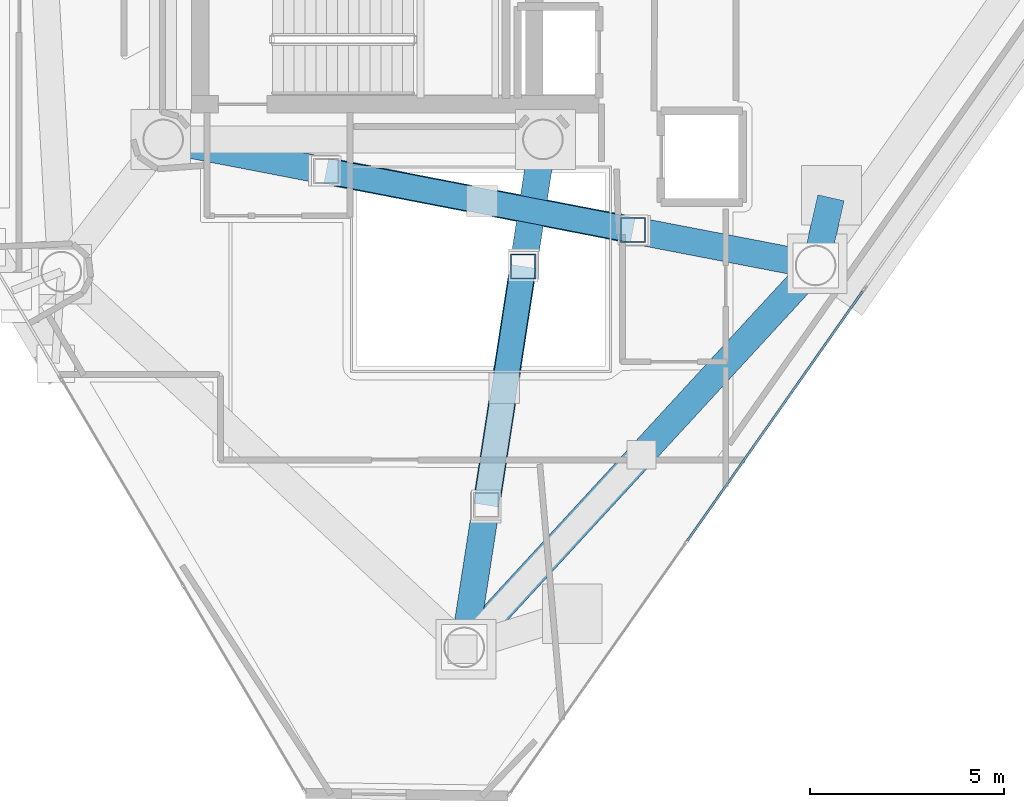
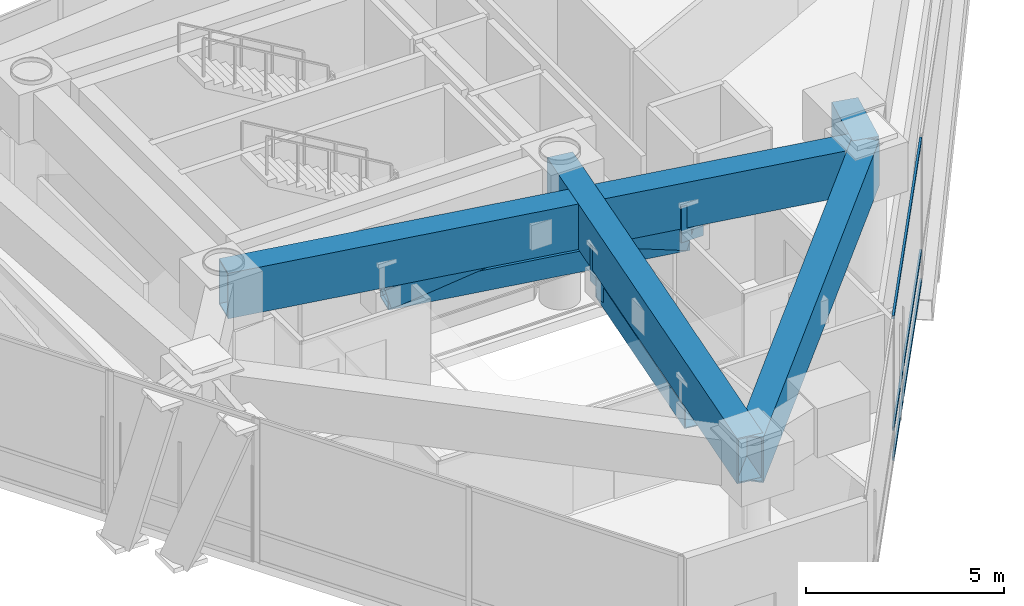
# One storey, part 5 of 21: 10 members, 4 beams, 1 element without a shape of its own.
"""IFC4 building model written with IfcOpenShell, lengths in metres."""

from ifc_helpers import new_model, si_unit, direction, frame, origin, origin_2d, place, context, subcontext, project, spatial, hollow_rectangle, extrude, material, layer, layer_set, material_profile, profile_set, type_object, element, aggregate, save


model = new_model("IFC4")

# Units and contexts
model_context = context("Model", 3, precision=1e-05, world=origin(), true_north=direction((0.0, 1.0)))
body_context = subcontext(model_context, "Body", "Model", "MODEL_VIEW")
ifc_project = project(units=[si_unit("LENGTHUNIT", "METRE"), si_unit("AREAUNIT", "SQUARE_METRE"), si_unit("VOLUMEUNIT", "CUBIC_METRE"), si_unit("PLANEANGLEUNIT", "RADIAN"), si_unit("MASSUNIT", "GRAM", prefix="KILO")], contexts=[model_context])

# Site, building, storey
site_placement = place(None, origin())
site = spatial("IfcSite", under=ifc_project, at=site_placement, CompositionType="ELEMENT")
building_placement = place(site_placement, origin())
building = spatial("IfcBuilding", under=site, at=building_placement, Name="Qianvela Tower", CompositionType="ELEMENT")
storey_placement = place(building_placement, frame((0.0, 0.0, 276.0)))
storey = spatial("IfcBuildingStorey", under=building, at=storey_placement, Name="L71", CompositionType="ELEMENT", Elevation=276.0)

# Beams
ifc_material_1 = material(Name="Steel Q420GJC", Category="steel")
ifc_material_profile_1 = material_profile(ifc_material_1, hollow_rectangle(XDim=0.699951171875, YDim=1.39990234375, WallThickness=0.0400390625, at=origin_2d()), Name="TG-BOX-1400x700x40")
ifc_profile_set_1 = profile_set([ifc_material_profile_1], Name="Steel Q420GJC")
beam_type_1 = type_object("IfcBeamType", Name="BM-TG-RAD-1400", PredefinedType="BEAM", material=ifc_profile_set_1)
beam_1_placement = place(storey_placement, frame((36.368896484375, 10.741943359375, 3.718017578125), z_axis=(0.677042708154, 0.735943728376, 0.0), x_axis=(-0.735943728376, 0.677042708154, 0.0)))
element("IfcBeam", 1, at=beam_1_placement, inside=storey, type_object=beam_type_1, Name="L71 Perimeter Belt-Truss Top Ring Girder 5", PredefinedType="BEAM", context=body_context, shape_type="SweptSolid", body=[
    extrude(hollow_rectangle(XDim=0.699951171875, YDim=1.39990234375, WallThickness=0.0400390625, at=origin_2d()), origin(), (0.0, 0.0, 1.0), 13.392333984375),
])
beam_2_placement = place(storey_placement, frame((38.39990234375, 23.85009765625, 3.718017578125), z_axis=(-0.153115145961, -0.988208354588, 0.0), x_axis=(0.988208354588, -0.153115145961, 0.0)))
element("IfcBeam", 2, at=beam_2_placement, inside=storey, type_object=beam_type_1, Name="L71 Radial Outrigger Top Transfer Girder 5", PredefinedType="BEAM", context=body_context, shape_type="SweptSolid", body=[
    extrude(hollow_rectangle(XDim=0.699951171875, YDim=1.39990234375, WallThickness=0.0400390625, at=origin_2d()), origin(), (0.0, 0.0, 1.0), 13.2646484375),
])
beam_3_placement = place(storey_placement, frame((28.60009765625, 23.85009765625, 3.718017578125), z_axis=(0.981849104236, -0.189663745904, 0.0), x_axis=(0.189663745904, 0.981849104236, 0.0)))
element("IfcBeam", 3, at=beam_3_placement, inside=storey, type_object=beam_type_1, Name="L71 Radial Outrigger Top Transfer Girder 6", PredefinedType="BEAM", context=body_context, shape_type="SweptSolid", body=[
    extrude(hollow_rectangle(XDim=0.699951171875, YDim=1.39990234375, WallThickness=0.0400390625, at=origin_2d()), origin(), (0.0, 0.0, 1.0), 17.147216796875),
])
ifc_material_2 = material(Name="Steel Q420GJC", Category="steel")
ifc_material_profile_2 = material_profile(ifc_material_2, hollow_rectangle(XDim=0.699951171875, YDim=1.39990234375, WallThickness=0.0400390625, at=origin_2d()), Name="TG-BOX-1400x700x40")
ifc_profile_set_2 = profile_set([ifc_material_profile_2], Name="Steel Q420GJC")
beam_type_2 = type_object("IfcBeamType", Name="BM-TG-STEP-1400", PredefinedType="BEAM", material=ifc_profile_set_2)
beam_4_placement = place(storey_placement, frame((45.43603515625, 20.597900390625, 3.718017578125), z_axis=(0.222092207552, 0.975025667018, 0.0), x_axis=(-0.975025667018, 0.222092207552, 0.0)))
element("IfcBeam", 4, at=beam_4_placement, inside=storey, type_object=beam_type_2, Name="L71 Zone-Step Transfer Girder 6", PredefinedType="BEAM", context=body_context, shape_type="SweptSolid", body=[
    extrude(hollow_rectangle(XDim=0.699951171875, YDim=1.39990234375, WallThickness=0.0400390625, at=origin_2d()), origin(), (0.0, 0.0, 1.0), 1.791748046875),
])

# Curtain wall, members
ifc_material_3 = material(Name="Anodised Architectural Aluminium and Low-E Glass", Category="aluminium")
ifc_layer = layer(ifc_material_3, 0.159912109375)
ifc_layer_set = layer_set([ifc_layer], Name="Anodised Architectural Aluminium and Low-E Glass")
curtain_wall_type = type_object("IfcCurtainWallType", Name="CW-COLIV-Z56", PredefinedType="USERDEFINED", material=ifc_layer_set)
curtain_wall_placement = place(storey_placement, origin())
curtain_wall = element("IfcCurtainWall", 5, at=curtain_wall_placement, inside=storey, type_object=curtain_wall_type, Name="L71 CW-COLIV-Z56 Curtain Wall 06A", ObjectType="CURTAIN_WALL_SYSTEM", PredefinedType="USERDEFINED")
ifc_material_4 = material(Name="Anodised Architectural Aluminium 6063-T6", Category="aluminium")
ifc_material_profile_3 = material_profile(ifc_material_4, hollow_rectangle(XDim=0.06005859375, YDim=0.114990234375, WallThickness=0.00390625, at=origin_2d()), Name="ALU-TRAN-60x115")
ifc_profile_set_3 = profile_set([ifc_material_profile_3], Name="Anodised Architectural Aluminium 6063-T6")
member_type_1 = type_object("IfcMemberType", Name="CW-COLIV-Z56-TRAN", PredefinedType="USERDEFINED", material=ifc_profile_set_3)
member_1_placement = place(storey_placement, frame((42.12353515625, 13.487548828125, 0.030029296875), z_axis=(0.574809073349, 0.818287558989, 0.0), x_axis=(-0.818287558989, 0.574809073349, 0.0)))
member_1 = element("IfcMember", 6, at=member_1_placement, type_object=member_type_1, Name="CW-5 transom 2.1", ObjectType="TRANSOM", PredefinedType="USERDEFINED", context=body_context, shape_type="SweptSolid", body=[
    extrude(hollow_rectangle(XDim=0.06005859375, YDim=0.114990234375, WallThickness=0.00390625, at=origin_2d()), origin(), (0.0, 0.0, 1.0), 7.867431640625),
])
member_2_placement = place(storey_placement, frame((42.12353515625, 13.487548828125, 0.949951171875), z_axis=(0.574809073349, 0.818287558989, 0.0), x_axis=(-0.818287558989, 0.574809073349, 0.0)))
member_2 = element("IfcMember", 7, at=member_2_placement, type_object=member_type_1, Name="CW-5 transom 2.2", ObjectType="TRANSOM", PredefinedType="USERDEFINED", context=body_context, shape_type="SweptSolid", body=[
    extrude(hollow_rectangle(XDim=0.06005859375, YDim=0.114990234375, WallThickness=0.00390625, at=origin_2d()), origin(), (0.0, 0.0, 1.0), 7.867431640625),
])
member_3_placement = place(storey_placement, frame((42.12353515625, 13.487548828125, 4.389892578125), z_axis=(0.574809073349, 0.818287558989, 0.0), x_axis=(-0.818287558989, 0.574809073349, 0.0)))
member_3 = element("IfcMember", 8, at=member_3_placement, type_object=member_type_1, Name="CW-5 transom 2.3", ObjectType="TRANSOM", PredefinedType="USERDEFINED", context=body_context, shape_type="SweptSolid", body=[
    extrude(hollow_rectangle(XDim=0.06005859375, YDim=0.114990234375, WallThickness=0.00390625, at=origin_2d()), origin(), (0.0, 0.0, 1.0), 7.867431640625),
])
aggregate(curtain_wall, [member_1, member_2, member_3])

# Members
ifc_material_5 = material(Name="Steel Q420GJC", Category="steel")
ifc_material_profile_4 = material_profile(ifc_material_5, hollow_rectangle(XDim=0.64990234375, YDim=0.64990234375, WallThickness=0.028076171875, at=origin_2d()), Name="OBOX-650x650x28")
ifc_profile_set_4 = profile_set([ifc_material_profile_4], Name="Steel Q420GJC")
member_type_2 = type_object("IfcMemberType", Name="MBR-OUTRIG-650", PredefinedType="BRACE", material=ifc_profile_set_4)
member_4_placement = place(storey_placement, frame((37.89208984375, 20.572998046875, 2.613037109375), z_axis=(0.0, 0.0, 1.0), x_axis=(1.0, 0.0, 0.0)))
element("IfcMember", 9, at=member_4_placement, inside=storey, type_object=member_type_2, Name="L71 Radial Outrigger Web Post 5A", PredefinedType="BRACE", context=body_context, shape_type="SweptSolid", body=[
    extrude(hollow_rectangle(XDim=0.64990234375, YDim=0.64990234375, WallThickness=0.028076171875, at=origin_2d()), origin(), (0.0, 0.0, 1.0), 1.10498046875),
])
member_5_placement = place(storey_placement, frame((37.89208984375, 20.572998046875, 2.613037109375), z_axis=(-0.153078217621, -0.988214075638, 0.0), x_axis=(0.988214075638, -0.153078217621, 0.0)))
element("IfcMember", 10, at=member_5_placement, inside=storey, type_object=member_type_2, Name="L71 Radial Outrigger Bottom Chord 5", PredefinedType="BRACE", context=body_context, shape_type="SweptSolid", body=[
    extrude(hollow_rectangle(XDim=0.64990234375, YDim=0.64990234375, WallThickness=0.028076171875, at=origin_2d()), origin(), (0.0, 0.0, 1.0), 6.234375),
])
member_6_placement = place(storey_placement, frame((37.89208984375, 20.572998046875, 2.613037109375), z_axis=(-0.144250260594, -0.931425556761, 0.334123172695), x_axis=(0.98821908165, -0.153045897245, 0.0)))
element("IfcMember", 11, at=member_6_placement, inside=storey, type_object=member_type_2, Name="L71 Radial Outrigger Diagonal 5A", PredefinedType="BRACE", context=body_context, shape_type="SweptSolid", body=[
    extrude(hollow_rectangle(XDim=0.64990234375, YDim=0.64990234375, WallThickness=0.028076171875, at=origin_2d()), origin(), (0.0, 0.0, 1.0), 3.30712890625),
])
member_7_placement = place(storey_placement, frame((40.721923828125, 21.508544921875, 2.613037109375), z_axis=(0.0, 0.0, 1.0), x_axis=(1.0, 0.0, 0.0)))
element("IfcMember", 12, at=member_7_placement, inside=storey, type_object=member_type_2, Name="L71 Radial Outrigger Web Post 6B", PredefinedType="BRACE", context=body_context, shape_type="SweptSolid", body=[
    extrude(hollow_rectangle(XDim=0.64990234375, YDim=0.64990234375, WallThickness=0.028076171875, at=origin_2d()), origin(), (0.0, 0.0, 1.0), 1.10498046875),
])
member_8_placement = place(storey_placement, frame((32.80908203125, 23.037109375, 2.613037109375), z_axis=(0.981848152905, -0.189668670678, 0.0), x_axis=(0.189668670678, 0.981848152905, 0.0)))
element("IfcMember", 13, at=member_8_placement, inside=storey, type_object=member_type_2, Name="L71 Radial Outrigger Bottom Chord 6", PredefinedType="BRACE", context=body_context, shape_type="SweptSolid", body=[
    extrude(hollow_rectangle(XDim=0.64990234375, YDim=0.64990234375, WallThickness=0.028076171875, at=origin_2d()), origin(), (0.0, 0.0, 1.0), 8.05908203125),
])
member_9_placement = place(storey_placement, frame((32.80908203125, 23.037109375, 2.613037109375), z_axis=(0.946884190895, -0.182949361413, 0.264461453131), x_axis=(0.189703516738, 0.981841420871, 0.0)))
element("IfcMember", 14, at=member_9_placement, inside=storey, type_object=member_type_2, Name="L71 Radial Outrigger Diagonal 6A", PredefinedType="BRACE", context=body_context, shape_type="SweptSolid", body=[
    extrude(hollow_rectangle(XDim=0.64990234375, YDim=0.64990234375, WallThickness=0.028076171875, at=origin_2d()), origin(), (0.0, 0.0, 1.0), 4.17822265625),
])
member_10_placement = place(storey_placement, frame((36.765380859375, 22.272705078125, 3.718017578125), z_axis=(0.946900352531, -0.182882765854, -0.264449648004), x_axis=(0.189633826051, 0.98185488338, 0.0)))
element("IfcMember", 15, at=member_10_placement, inside=storey, type_object=member_type_2, Name="L71 Radial Outrigger Diagonal 6B", PredefinedType="BRACE", context=body_context, shape_type="SweptSolid", body=[
    extrude(hollow_rectangle(XDim=0.64990234375, YDim=0.64990234375, WallThickness=0.028076171875, at=origin_2d()), origin(), (0.0, 0.0, 1.0), 4.178466796875),
])

save(model, "model.ifc")
